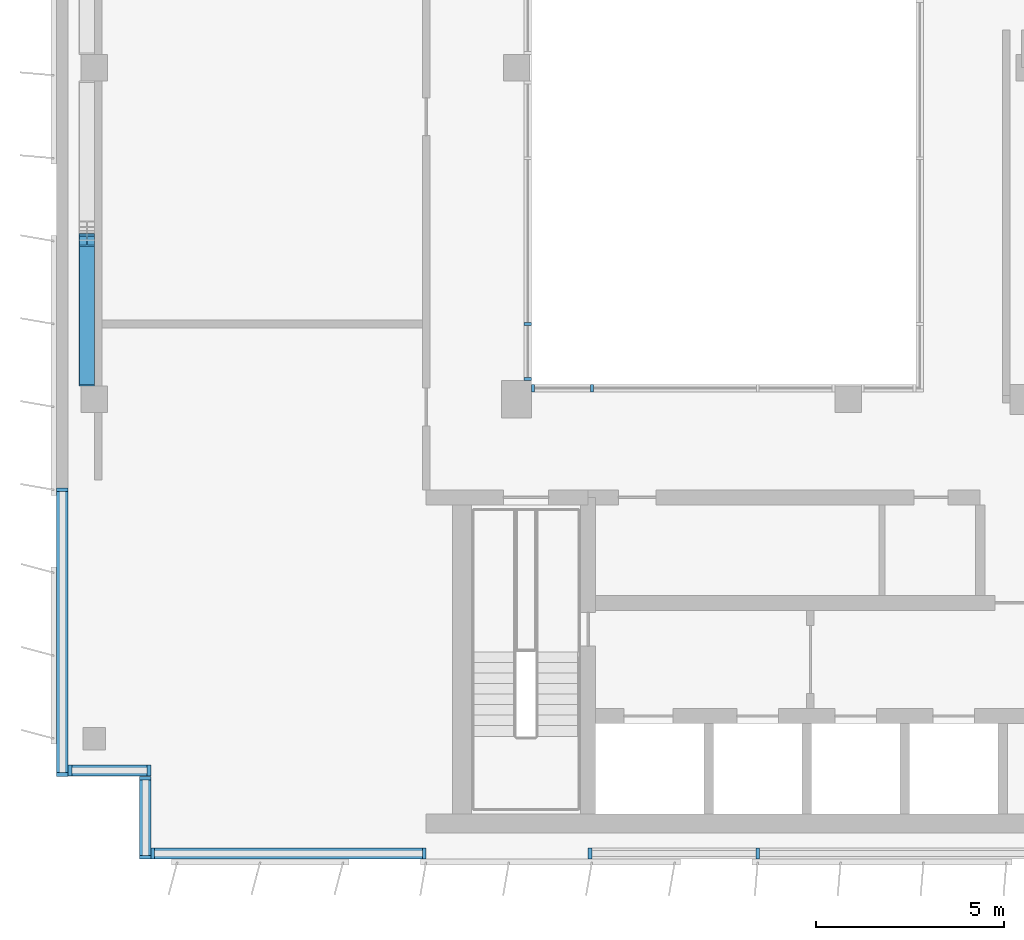
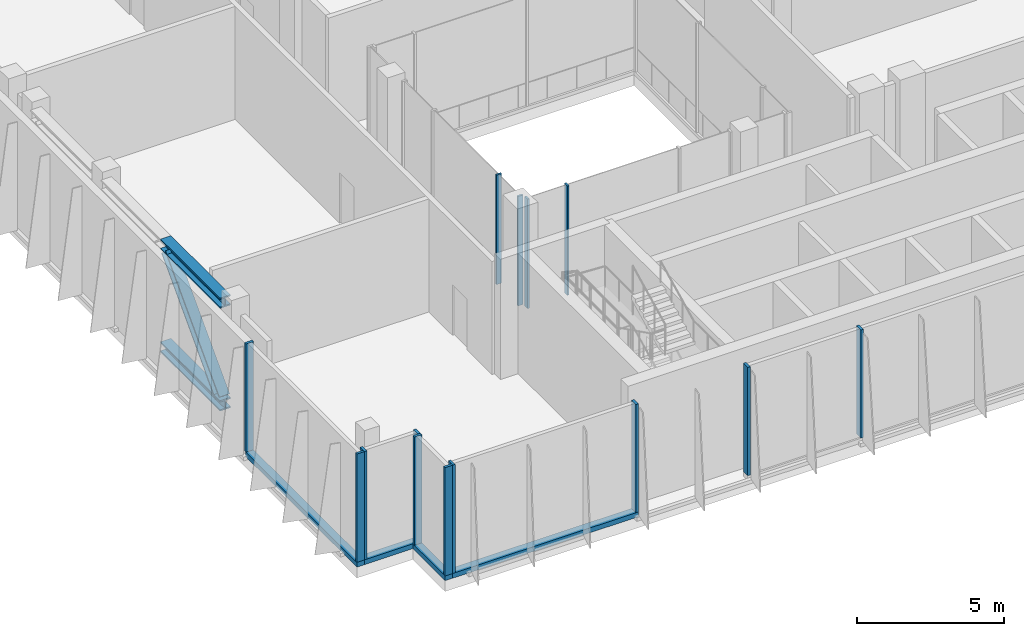
# One storey, part 2 of 14: 19 members, 2 beams, 7 elements without a shape of their own.
"""IFC4 building model written with IfcOpenShell, lengths in metres."""

from ifc_helpers import new_model, si_unit, direction, frame, origin, origin_2d, place, context, subcontext, project, spatial, rectangle, i_section, extrude, source, transform, mapped, material, material_profile, profile_set, type_object, element, aggregate, save


model = new_model("IFC4")

# Units and contexts
model_context = context("Model", 3, precision=1e-05, world=origin(), true_north=direction((0.0, 1.0)))
body_context = subcontext(model_context, "Body", "Model", "MODEL_VIEW")
ifc_project = project(units=[si_unit("LENGTHUNIT", "METRE"), si_unit("AREAUNIT", "SQUARE_METRE"), si_unit("VOLUMEUNIT", "CUBIC_METRE"), si_unit("PLANEANGLEUNIT", "RADIAN"), si_unit("MASSUNIT", "GRAM", prefix="KILO")], contexts=[model_context])

# Site, building, storey
site_placement = place(None, origin())
site = spatial("IfcSite", under=ifc_project, at=site_placement, CompositionType="ELEMENT")
building_placement = place(site_placement, origin())
building = spatial("IfcBuilding", under=site, at=building_placement, Name="Kemantara Hotel Tower", CompositionType="ELEMENT")
storey_placement = place(building_placement, frame((0.0, 0.0, 309.199951171875)))
storey = spatial("IfcBuildingStorey", under=building, at=storey_placement, Name="L78", CompositionType="ELEMENT", Elevation=309.199951171875)

# Curtain wall, member
ifc_material_1 = material(Name="Aluminium 6063-T6 bronze anodised", Category="aluminium")
curtain_wall_type_1 = type_object("IfcCurtainWallType", Name="CROWN LOUVRE SCREEN WALL", PredefinedType="USERDEFINED", material=ifc_material_1)
curtain_wall_1_placement = place(storey_placement, origin())
curtain_wall_1 = element("IfcCurtainWall", 1, at=curtain_wall_1_placement, inside=storey, type_object=curtain_wall_type_1, Name="CW7 L78 CRN-R05-2", ObjectType="CROWN LOUVRE SCREEN WALL", PredefinedType="USERDEFINED")
ifc_material_profile_1 = material_profile(ifc_material_1, rectangle(XDim=0.300048828125, YDim=0.199951171875, at=origin_2d()), Name="CROWN LOUVRE SCREEN WALL TRANSOM")
ifc_profile_set_1 = profile_set([ifc_material_profile_1], Name="Aluminium 6063-T6 bronze anodised")
member_type_1 = type_object("IfcMemberType", Name="CROWN LOUVRE SCREEN WALL TRANSOM", PredefinedType="USERDEFINED", material=ifc_profile_set_1)
member_1_placement = place(storey_placement, frame((0.14990234375, 9.800048828125, 0.10009765625), z_axis=(0.0, -1.0, 0.0), x_axis=(1.0, 0.0, 0.0)))
member_1 = element("IfcMember", 2, at=member_1_placement, type_object=member_type_1, Name="CW7 sill transom CRN-R05-2", ObjectType="TRANSOM", PredefinedType="USERDEFINED", context=body_context, shape_type="SweptSolid", body=[
    extrude(rectangle(XDim=0.300048828125, YDim=0.199951171875, at=origin_2d()), origin(), (0.0, 0.0, 1.0), 7.60009765625),
])

curtain_wall_2_placement = place(storey_placement, origin())
curtain_wall_2 = element("IfcCurtainWall", 3, at=curtain_wall_2_placement, inside=storey, type_object=curtain_wall_type_1, Name="CW7 L78 CRN-R08-1", ObjectType="CROWN LOUVRE SCREEN WALL", PredefinedType="USERDEFINED")
member_2_placement = place(storey_placement, frame((2.5, 0.14990234375, 0.10009765625), z_axis=(1.0, 0.0, 0.0), x_axis=(0.0, 1.0, 0.0)))
member_2 = element("IfcMember", 4, at=member_2_placement, type_object=member_type_1, Name="CW7 sill transom CRN-R08-1", ObjectType="TRANSOM", PredefinedType="USERDEFINED", context=body_context, shape_type="SweptSolid", body=[
    extrude(rectangle(XDim=0.300048828125, YDim=0.199951171875, at=origin_2d()), origin(), (0.0, 0.0, 1.0), 7.300048828125),
])

curtain_wall_3_placement = place(storey_placement, origin())
curtain_wall_3 = element("IfcCurtainWall", 5, at=curtain_wall_3_placement, inside=storey, type_object=curtain_wall_type_1, Name="CW7 L78 CRN-R06-1", ObjectType="CROWN LOUVRE SCREEN WALL", PredefinedType="USERDEFINED")
member_3_placement = place(storey_placement, frame((0.300048828125, 2.35009765625, 0.10009765625), z_axis=(1.0, 0.0, 0.0), x_axis=(0.0, 1.0, 0.0)))
member_3 = element("IfcMember", 6, at=member_3_placement, type_object=member_type_1, Name="CW7 sill transom CRN-R06-1", ObjectType="TRANSOM", PredefinedType="USERDEFINED", context=body_context, shape_type="SweptSolid", body=[
    extrude(rectangle(XDim=0.300048828125, YDim=0.199951171875, at=origin_2d()), origin(), (0.0, 0.0, 1.0), 2.199951171875),
])

curtain_wall_4_placement = place(storey_placement, origin())
curtain_wall_4 = element("IfcCurtainWall", 7, at=curtain_wall_4_placement, inside=storey, type_object=curtain_wall_type_1, Name="CW7 L78 CRN-R07-1", ObjectType="CROWN LOUVRE SCREEN WALL", PredefinedType="USERDEFINED")
member_4_placement = place(storey_placement, frame((2.35009765625, 2.199951171875, 0.10009765625), z_axis=(0.0, -1.0, 0.0), x_axis=(1.0, 0.0, 0.0)))
member_4 = element("IfcMember", 8, at=member_4_placement, type_object=member_type_1, Name="CW7 sill transom CRN-R07-1", ObjectType="TRANSOM", PredefinedType="USERDEFINED", context=body_context, shape_type="SweptSolid", body=[
    extrude(rectangle(XDim=0.300048828125, YDim=0.199951171875, at=origin_2d()), origin(), (0.0, 0.0, 1.0), 2.199951171875),
])

# Beams
ifc_material_2 = material(Name="Steel ASTM A992 Grade 50", Category="steel")
ifc_material_profile_2 = material_profile(ifc_material_2, i_section(OverallWidth=0.410888671875, OverallDepth=0.43408203125, WebThickness=0.035888671875, FlangeThickness=0.057373046875, at=origin_2d()), Name="W360X463")
ifc_profile_set_2 = profile_set([ifc_material_profile_2], Name="Steel ASTM A992 Grade 50")
beam_type = type_object("IfcBeamType", Name="TOP L78 TRUSS CHORD W360X463", PredefinedType="BEAM", material=ifc_profile_set_2)
for number, where, z_axis, x_axis, name in (
    (9, (0.800048828125, 12.550048828125, 0.217041015625), (0.0, 1.0, 0.0), (-1.0, 0.0, 0.0), "TOP L78 BAY 1 bottom chord 1"),
    (10, (0.800048828125, 12.550048828125, 4.483154296875), (0.0, 1.0, 0.0), (-1.0, 0.0, 0.0), "TOP L78 BAY 1 top chord 1"),
):
    element("IfcBeam", number, at=place(storey_placement, frame(where, z_axis=z_axis, x_axis=x_axis)), inside=storey, type_object=beam_type, Name=name, PredefinedType="BEAM", context=body_context, shape_type="SweptSolid", body=[
        extrude(i_section(OverallWidth=0.410888671875, OverallDepth=0.43408203125, WebThickness=0.035888671875, FlangeThickness=0.057373046875, at=origin_2d()), origin(), (0.0, 0.0, 1.0), 4.050048828125),
    ])

# Member
ifc_material_profile_3 = material_profile(ifc_material_2, i_section(OverallWidth=0.404052734375, OverallDepth=0.406005859375, WebThickness=0.027099609375, FlangeThickness=0.043701171875, at=origin_2d()), Name="W360X347")
ifc_profile_set_3 = profile_set([ifc_material_profile_3], Name="Steel ASTM A992 Grade 50")
member_type_2 = type_object("IfcMemberType", Name="TOP L78 TRUSS DIAGONAL W360X347", PredefinedType="BRACE", material=ifc_profile_set_3)
member_5_placement = place(storey_placement, frame((0.800048828125, 12.740966796875, 0.418212890625), z_axis=(0.0, 0.688514566613, 0.725222511758), x_axis=(-1.0, 0.0, 0.0)))
element("IfcMember", 11, at=member_5_placement, inside=storey, type_object=member_type_2, Name="TOP L78 BAY 1 diagonal 1", PredefinedType="BRACE", context=body_context, shape_type="SweptSolid", body=[
    extrude(i_section(OverallWidth=0.404052734375, OverallDepth=0.406005859375, WebThickness=0.027099609375, FlangeThickness=0.043701171875, at=origin_2d()), origin(), (0.0, 0.0, 1.0), 5.327392578125),
])

ifc_material_profile_4 = material_profile(ifc_material_1, rectangle(XDim=0.300048828125, YDim=0.10009765625, at=origin_2d()), Name="CROWN LOUVRE SCREEN WALL MULLION")
ifc_profile_set_4 = profile_set([ifc_material_profile_4], Name="Aluminium 6063-T6 bronze anodised")
member_type_3 = type_object("IfcMemberType", Name="CROWN LOUVRE SCREEN WALL MULLION", PredefinedType="MULLION", material=ifc_profile_set_4)
shared_shape_1 = source(origin(), body_context, "Body", "SweptSolid", [
    extrude(rectangle(XDim=0.300048828125, YDim=0.10009765625, at=origin_2d()), origin(), (0.0, 0.0, 1.0), 4.5),
])
member_6_placement = place(storey_placement, frame((0.14990234375, 9.800048828125, 0.199951171875), z_axis=(0.0, 0.0, 1.0), x_axis=(1.0, 0.0, 0.0)))
member_6 = element("IfcMember", 12, at=member_6_placement, type_object=member_type_3, Name="CW7 mullion CRN-R05-2.1", PredefinedType="MULLION", context=body_context, shape_type="MappedRepresentation", body=[
    mapped(shared_shape_1, transform((0.0, 0.0, 0.0))),
])

member_7_placement = place(storey_placement, frame((0.14990234375, 2.25, 0.199951171875), z_axis=(0.0, 0.0, 1.0), x_axis=(1.0, 0.0, 0.0)))
member_7 = element("IfcMember", 13, at=member_7_placement, type_object=member_type_3, Name="CW7 mullion CRN-R05-2.2", PredefinedType="MULLION", context=body_context, shape_type="MappedRepresentation", body=[
    mapped(shared_shape_1, transform((0.0, 0.0, 0.0))),
])

aggregate(curtain_wall_1, [member_1, member_6, member_7])

member_8_placement = place(storey_placement, frame((2.550048828125, 0.14990234375, 0.199951171875), z_axis=(0.0, 0.0, 1.0), x_axis=(0.0, 1.0, 0.0)))
member_8 = element("IfcMember", 14, at=member_8_placement, type_object=member_type_3, Name="CW7 mullion CRN-R08-1.1", PredefinedType="MULLION", context=body_context, shape_type="MappedRepresentation", body=[
    mapped(shared_shape_1, transform((0.0, 0.0, 0.0))),
])

member_9_placement = place(storey_placement, frame((9.75, 0.14990234375, 0.199951171875), z_axis=(0.0, 0.0, 1.0), x_axis=(0.0, 1.0, 0.0)))
member_9 = element("IfcMember", 15, at=member_9_placement, type_object=member_type_3, Name="CW7 mullion CRN-R08-1.2", PredefinedType="MULLION", context=body_context, shape_type="MappedRepresentation", body=[
    mapped(shared_shape_1, transform((0.0, 0.0, 0.0))),
])

aggregate(curtain_wall_2, [member_2, member_8, member_9])

# Curtain wall, members
curtain_wall_5_placement = place(storey_placement, origin())
curtain_wall_5 = element("IfcCurtainWall", 16, at=curtain_wall_5_placement, inside=storey, type_object=curtain_wall_type_1, Name="CW7 L78 CRN-R08-2", ObjectType="CROWN LOUVRE SCREEN WALL", PredefinedType="USERDEFINED")
member_10_placement = place(storey_placement, frame((14.14990234375, 0.14990234375, 0.199951171875), z_axis=(0.0, 0.0, 1.0), x_axis=(0.0, 1.0, 0.0)))
member_10 = element("IfcMember", 17, at=member_10_placement, type_object=member_type_3, Name="CW7 mullion CRN-R08-2.1", PredefinedType="MULLION", context=body_context, shape_type="MappedRepresentation", body=[
    mapped(shared_shape_1, transform((0.0, 0.0, 0.0))),
])
member_11_placement = place(storey_placement, frame((18.60009765625, 0.14990234375, 0.199951171875), z_axis=(0.0, 0.0, 1.0), x_axis=(0.0, 1.0, 0.0)))
member_11 = element("IfcMember", 18, at=member_11_placement, type_object=member_type_3, Name="CW7 mullion CRN-R08-2.2", PredefinedType="MULLION", context=body_context, shape_type="MappedRepresentation", body=[
    mapped(shared_shape_1, transform((0.0, 0.0, 0.0))),
])
aggregate(curtain_wall_5, [member_10, member_11])

# Member
member_12_placement = place(storey_placement, frame((0.35009765625, 2.35009765625, 0.199951171875), z_axis=(0.0, 0.0, 1.0), x_axis=(0.0, 1.0, 0.0)))
member_12 = element("IfcMember", 19, at=member_12_placement, type_object=member_type_3, Name="CW7 mullion CRN-R06-1.1", PredefinedType="MULLION", context=body_context, shape_type="MappedRepresentation", body=[
    mapped(shared_shape_1, transform((0.0, 0.0, 0.0))),
])

member_13_placement = place(storey_placement, frame((2.449951171875, 2.35009765625, 0.199951171875), z_axis=(0.0, 0.0, 1.0), x_axis=(0.0, 1.0, 0.0)))
member_13 = element("IfcMember", 20, at=member_13_placement, type_object=member_type_3, Name="CW7 mullion CRN-R06-1.2", PredefinedType="MULLION", context=body_context, shape_type="MappedRepresentation", body=[
    mapped(shared_shape_1, transform((0.0, 0.0, 0.0))),
])

aggregate(curtain_wall_3, [member_3, member_12, member_13])

member_14_placement = place(storey_placement, frame((2.35009765625, 2.14990234375, 0.199951171875), z_axis=(0.0, 0.0, 1.0), x_axis=(1.0, 0.0, 0.0)))
member_14 = element("IfcMember", 21, at=member_14_placement, type_object=member_type_3, Name="CW7 mullion CRN-R07-1.1", PredefinedType="MULLION", context=body_context, shape_type="MappedRepresentation", body=[
    mapped(shared_shape_1, transform((0.0, 0.0, 0.0))),
])

member_15_placement = place(storey_placement, frame((2.35009765625, 0.050048828125, 0.199951171875), z_axis=(0.0, 0.0, 1.0), x_axis=(1.0, 0.0, 0.0)))
member_15 = element("IfcMember", 22, at=member_15_placement, type_object=member_type_3, Name="CW7 mullion CRN-R07-1.2", PredefinedType="MULLION", context=body_context, shape_type="MappedRepresentation", body=[
    mapped(shared_shape_1, transform((0.0, 0.0, 0.0))),
])

aggregate(curtain_wall_4, [member_4, member_14, member_15])

# Curtain wall, members
ifc_material_3 = material(Name="Clear low-iron laminated glass 36 mm", Category="glass")
curtain_wall_type_2 = type_object("IfcCurtainWallType", Name="ATRIUM GLAZING WALL", PredefinedType="USERDEFINED", material=ifc_material_3)
curtain_wall_6_placement = place(storey_placement, origin())
curtain_wall_6 = element("IfcCurtainWall", 23, at=curtain_wall_6_placement, inside=storey, type_object=curtain_wall_type_2, Name="CW5 L78 ATR-R2-2", ObjectType="ATRIUM GLAZING WALL", PredefinedType="USERDEFINED")
ifc_material_profile_5 = material_profile(ifc_material_1, rectangle(XDim=0.199951171875, YDim=0.074951171875, at=origin_2d()), Name="ATRIUM GLAZING WALL MULLION")
ifc_profile_set_5 = profile_set([ifc_material_profile_5], Name="Aluminium 6063-T6 bronze anodised")
member_type_4 = type_object("IfcMemberType", Name="ATRIUM GLAZING WALL MULLION", PredefinedType="MULLION", material=ifc_profile_set_5)
shared_shape_2 = source(origin(), body_context, "Body", "SweptSolid", [
    extrude(rectangle(XDim=0.199951171875, YDim=0.074951171875, at=origin_2d()), origin(), (0.0, 0.0, 1.0), 4.5498046875),
])
member_16_placement = place(storey_placement, frame((14.199951171875, 12.5, 0.150146484375), z_axis=(0.0, 0.0, 1.0), x_axis=(0.0, -1.0, 0.0)))
member_16 = element("IfcMember", 24, at=member_16_placement, type_object=member_type_4, Name="CW5 mullion ATR-R2-2.3", PredefinedType="MULLION", context=body_context, shape_type="MappedRepresentation", body=[
    mapped(shared_shape_2, transform((0.0, 0.0, 0.0))),
])
member_17_placement = place(storey_placement, frame((12.637451171875, 12.5, 0.150146484375), z_axis=(0.0, 0.0, 1.0), x_axis=(0.0, -1.0, 0.0)))
member_17 = element("IfcMember", 25, at=member_17_placement, type_object=member_type_4, Name="CW5 mullion ATR-R2-2.4", PredefinedType="MULLION", context=body_context, shape_type="MappedRepresentation", body=[
    mapped(shared_shape_2, transform((0.0, 0.0, 0.0))),
])
aggregate(curtain_wall_6, [member_16, member_17])

curtain_wall_7_placement = place(storey_placement, origin())
curtain_wall_7 = element("IfcCurtainWall", 26, at=curtain_wall_7_placement, inside=storey, type_object=curtain_wall_type_2, Name="CW5 L78 ATR-R3-1", ObjectType="ATRIUM GLAZING WALL", PredefinedType="USERDEFINED")
member_18_placement = place(storey_placement, frame((12.5, 12.737548828125, 0.150146484375), z_axis=(0.0, 0.0, 1.0), x_axis=(-1.0, 0.0, 0.0)))
member_18 = element("IfcMember", 27, at=member_18_placement, type_object=member_type_4, Name="CW5 mullion ATR-R3-1.1", PredefinedType="MULLION", context=body_context, shape_type="MappedRepresentation", body=[
    mapped(shared_shape_2, transform((0.0, 0.0, 0.0))),
])
member_19_placement = place(storey_placement, frame((12.5, 14.199951171875, 0.150146484375), z_axis=(0.0, 0.0, 1.0), x_axis=(-1.0, 0.0, 0.0)))
member_19 = element("IfcMember", 28, at=member_19_placement, type_object=member_type_4, Name="CW5 mullion ATR-R3-1.2", PredefinedType="MULLION", context=body_context, shape_type="MappedRepresentation", body=[
    mapped(shared_shape_2, transform((0.0, 0.0, 0.0))),
])
aggregate(curtain_wall_7, [member_18, member_19])

save(model, "model.ifc")
